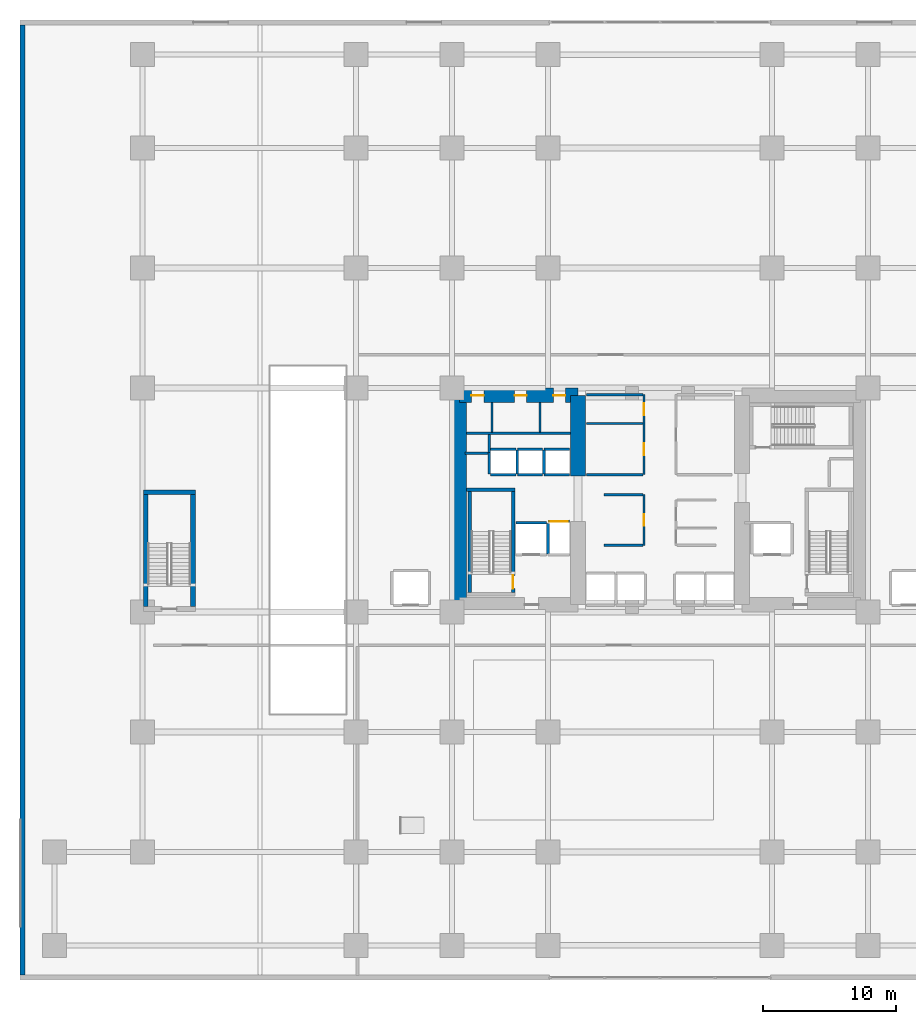
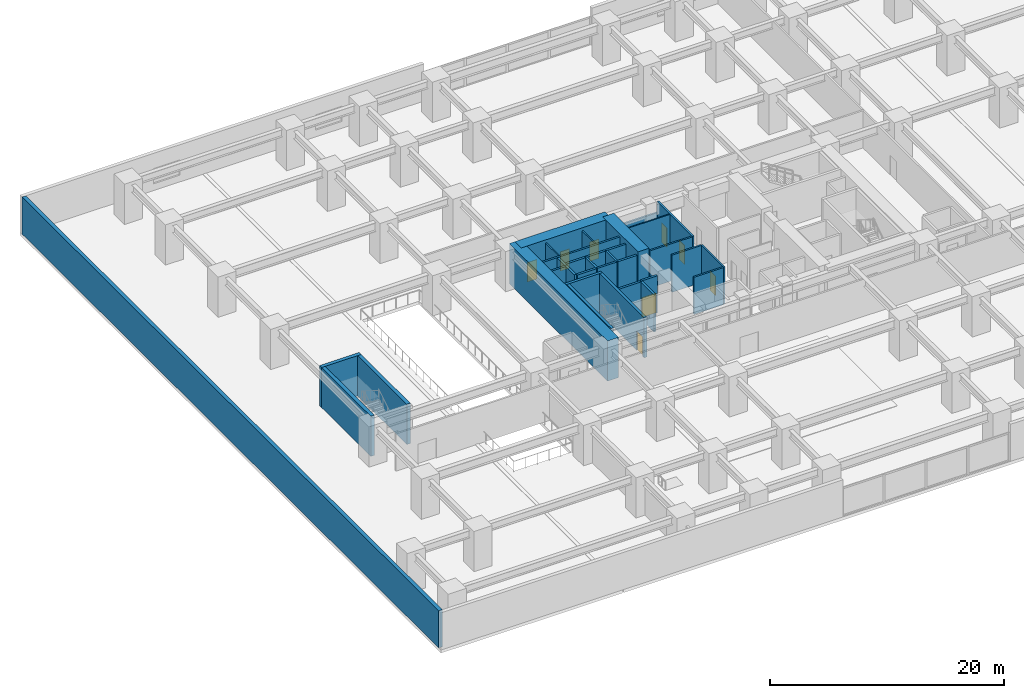
# One storey, part 11 of 22: 34 walls, 8 doors, 8 openings.
"""IFC4 building model written with IfcOpenShell, lengths in metres."""

import ifcopenshell
import ifcopenshell.guid

model = None  # the IFC model being written
_history = None  # IfcOwnerHistory: only IFC2X3 demands one
_inside = {}  # id of a spatial element -> (the spatial element, [elements in it])
_under = {}  # id of a project, library or spatial element -> (it, [spatial elements below it])
_declared = {}  # id of a project -> (the project, [libraries it declares])
_typed = {}  # id of a type object -> (the type object, [elements of that type])
_made_of = {}  # id of a material, layer set ... -> (it, [elements and type objects made of it])


def new_model(schema):
    """Start an empty IFC model of exactly this schema.

    Asked for "IFC4X3", IfcOpenShell would pick the latest addendum, in which some entities
    have other attributes; the version numbers below select the first issue.
    IFC2X3 requires an IfcOwnerHistory on every rooted entity: one is made here for all.
    """
    global model, _history
    if schema == "IFC4X3":
        model = ifcopenshell.file(schema_version=(4, 3, 0, 0))
    else:
        model = ifcopenshell.file(schema=schema)
    _inside.clear()
    _under.clear()
    _declared.clear()
    _typed.clear()
    _made_of.clear()
    _history = None
    if model.schema == "IFC2X3":
        org = make("IfcOrganization", Name="unknown")
        user = make(
            "IfcPersonAndOrganization",
            ThePerson=make("IfcPerson", FamilyName="unknown"),
            TheOrganization=org,
        )
        app = make(
            "IfcApplication",
            ApplicationDeveloper=org,
            Version="unknown",
            ApplicationFullName="unknown",
            ApplicationIdentifier="unknown",
        )
        _history = make(
            "IfcOwnerHistory",
            OwningUser=user,
            OwningApplication=app,
            ChangeAction="ADDED",
            CreationDate=0,
        )
    return model


def make(cls, **values):
    """One entity of the class cls with the attributes given. An attribute that is None is left unset."""
    return model.create_entity(
        cls, **{name: value for name, value in values.items() if value is not None}
    )


def rooted(cls, **values):
    """An entity with a GlobalId (a new one), such as an element, a storey or a relation."""
    return make(cls, GlobalId=ifcopenshell.guid.new(), OwnerHistory=_history, **values)


def si_unit(unit_type, name, prefix=None):
    """IfcSIUnit, for example si_unit("LENGTHUNIT", "METRE", prefix="MILLI")."""
    return make("IfcSIUnit", UnitType=unit_type, Prefix=prefix, Name=name)


def assignment(units):
    """IfcUnitAssignment: the units of a project."""
    return None if units is None else make("IfcUnitAssignment", Units=units)


def point(xyz):
    """IfcCartesianPoint."""
    return None if xyz is None else make("IfcCartesianPoint", Coordinates=xyz)


def direction(xyz):
    """IfcDirection."""
    return None if xyz is None else make("IfcDirection", DirectionRatios=xyz)


def frame(location, z_axis=None, x_axis=None):
    """IfcAxis2Placement3D, a coordinate frame: its origin and axes. An axis left out is left unset."""
    return make(
        "IfcAxis2Placement3D",
        Location=point(location),
        Axis=direction(z_axis),
        RefDirection=direction(x_axis),
    )


def frame_2d(location, x_axis=None):
    """IfcAxis2Placement2D, a coordinate frame in the plane: its origin and x axis."""
    return make(
        "IfcAxis2Placement2D", Location=point(location), RefDirection=direction(x_axis)
    )


def origin():
    """The frame at (0, 0, 0) with its axes left unset."""
    return frame((0.0, 0.0, 0.0))


def place(relative_to, where):
    """IfcLocalPlacement: puts the frame where relative to a parent placement (None: the world)."""
    return make(
        "IfcLocalPlacement", PlacementRelTo=relative_to, RelativePlacement=where
    )


def context(
    kind, dimensions, precision=None, world=None, true_north=None, identifier=None
):
    """IfcGeometricRepresentationContext, for example the 3D "Model" context."""
    return make(
        "IfcGeometricRepresentationContext",
        ContextIdentifier=identifier,
        ContextType=kind,
        CoordinateSpaceDimension=dimensions,
        Precision=precision,
        WorldCoordinateSystem=world,
        TrueNorth=true_north,
    )


def subcontext(parent, identifier, kind, view, scale=None):
    """IfcGeometricRepresentationSubContext, for example "Body" below "Model"."""
    return make(
        "IfcGeometricRepresentationSubContext",
        ContextIdentifier=identifier,
        ContextType=kind,
        ParentContext=parent,
        TargetScale=scale,
        TargetView=view,
    )


def project(units=None, contexts=None):
    """IfcProject with its units and contexts."""
    return rooted(
        "IfcProject",
        Name="project",
        RepresentationContexts=contexts,
        UnitsInContext=assignment(units),
    )


def spatial(cls, under=None, at=None, **own):
    """A site, building, storey or space (cls), placed at a placement, below another one or the project."""
    s = rooted(cls, ObjectPlacement=at, **own)
    if under is not None:
        _under.setdefault(under.id(), (under, []))[1].append(s)
    return s


def profile(cls, at=None, kind="AREA", **sizes):
    """A parametric profile (cls). Its sizes go by their IFC names, for example OverallWidth=200.0."""
    return make(cls, ProfileType=kind, Position=at, **sizes)


def rectangle(**sizes):
    """IfcRectangleProfileDef."""
    return profile("IfcRectangleProfileDef", **sizes)


def extrude(swept, where, along, depth):
    """IfcExtrudedAreaSolid: the profile swept, set in the frame where, extruded along a direction by depth."""
    return make(
        "IfcExtrudedAreaSolid",
        SweptArea=swept,
        Position=where,
        ExtrudedDirection=direction(along),
        Depth=depth,
    )


def shape(context_of_items, identifier, shape_type, items):
    """IfcShapeRepresentation: the items that make up one representation, for example the "Body"."""
    return make(
        "IfcShapeRepresentation",
        ContextOfItems=context_of_items,
        RepresentationIdentifier=identifier,
        RepresentationType=shape_type,
        Items=items,
    )


def material(Name=None, Category=None):
    """IfcMaterial."""
    return make("IfcMaterial", Name=Name, Category=Category)


def layer(
    of_material, thickness, ventilated=None, Name=None, Category=None, Priority=None
):
    """IfcMaterialLayer: one layer of a wall or slab, of a material (None: an air gap)."""
    return make(
        "IfcMaterialLayer",
        Material=of_material,
        LayerThickness=thickness,
        IsVentilated=ventilated,
        Name=Name,
        Category=Category,
        Priority=Priority,
    )


def layer_set(layers, Name=None):
    """IfcMaterialLayerSet."""
    return make("IfcMaterialLayerSet", MaterialLayers=layers, LayerSetName=Name)


def made_of(thing, what):
    """Note that an element or type object is made of a material, layer set ...; save() writes the relation."""
    if what is not None:
        _made_of.setdefault(what.id(), (what, []))[1].append(thing)
    return thing


def type_object(cls, material=None, **own):
    """A type object (cls), such as IfcWallType, which elements share."""
    return made_of(rooted(cls, **own), material)


def element(
    cls,
    number,
    at=None,
    inside=None,
    cuts=None,
    type_object=None,
    material=None,
    context=None,
    identifier="Body",
    shape_type=None,
    held_by="IfcProductDefinitionShape",
    body=None,
    shapes=None,
    **own,
):
    """One element of the class cls, such as IfcWall. Its Tag is "e" and its number.

    at: its placement. inside: the storey or other place that contains it. cuts: it is an
    opening in that element (IfcRelVoidsElement). A single representation is given by context,
    identifier, shape_type and body (its items); several are given by shapes. held_by: the class
    of the entity that holds the representations. save() writes the other relations.
    """
    e = rooted(cls, Tag="e%d" % number, ObjectPlacement=at, **own)
    if body is not None:
        shapes = [shape(context, identifier, shape_type, body)]
    if shapes is not None:
        e.Representation = make(held_by, Representations=shapes)
    if inside is not None:
        _inside.setdefault(inside.id(), (inside, []))[1].append(e)
    if cuts is not None:
        rooted(
            "IfcRelVoidsElement", RelatingBuildingElement=cuts, RelatedOpeningElement=e
        )
    if type_object is not None:
        _typed.setdefault(type_object.id(), (type_object, []))[1].append(e)
    return made_of(e, material)


def fill(opening, filler):
    """IfcRelFillsElement: the door or window that sits in an opening."""
    return rooted(
        "IfcRelFillsElement",
        RelatingOpeningElement=opening,
        RelatedBuildingElement=filler,
    )


def aggregate(whole, parts):
    """IfcRelAggregates: a whole, such as a stair, and the parts it consists of."""
    return rooted("IfcRelAggregates", RelatingObject=whole, RelatedObjects=parts)


def save(model, path):
    """Write the relations noted so far, then the file.

    IfcRelAggregates (storeys below a building ...), IfcRelContainedInSpatialStructure (elements
    in a storey), IfcRelDefinesByType, IfcRelAssociatesMaterial and IfcRelDeclares: one each for
    every whole, place, type object, material and project.
    """
    for whole, parts in _under.values():
        aggregate(whole, parts)
    for where, things in _inside.values():
        rooted(
            "IfcRelContainedInSpatialStructure",
            RelatedElements=things,
            RelatingStructure=where,
        )
    for kind, things in _typed.values():
        rooted("IfcRelDefinesByType", RelatedObjects=things, RelatingType=kind)
    for what, things in _made_of.values():
        rooted("IfcRelAssociatesMaterial", RelatedObjects=things, RelatingMaterial=what)
    for by, libraries in _declared.values():
        rooted("IfcRelDeclares", RelatingContext=by, RelatedDefinitions=libraries)
    model.write(path)


model = new_model("IFC4")

# Units and contexts
model_context = context("Model", 3, precision=1e-05, world=origin(), true_north=direction((0.0, 1.0)))
body_context = subcontext(model_context, "Body", "Model", "MODEL_VIEW")
ifc_project = project(units=[si_unit("LENGTHUNIT", "METRE"), si_unit("AREAUNIT", "SQUARE_METRE"), si_unit("VOLUMEUNIT", "CUBIC_METRE"), si_unit("PLANEANGLEUNIT", "RADIAN"), si_unit("MASSUNIT", "GRAM", prefix="KILO")], contexts=[model_context])

# Site, building, storey
site_placement = place(None, origin())
site = spatial("IfcSite", under=ifc_project, at=site_placement, CompositionType="ELEMENT")
building_placement = place(site_placement, origin())
building = spatial("IfcBuilding", under=site, at=building_placement, Name="Kiyonajd Concourse Tower", CompositionType="ELEMENT")
storey_placement = place(building_placement, frame((0.0, 0.0, 8.699951171875)))
storey = spatial("IfcBuildingStorey", under=building, at=storey_placement, Name="L03", CompositionType="ELEMENT", Elevation=8.699951171875)

# Walls
ifc_material_1 = material(Name="Concrete C80/95", Category="concrete")
ifc_layer_1 = layer(ifc_material_1, 1.10009765625)
ifc_layer_set_1 = layer_set([ifc_layer_1], Name="Concrete C80/95")
wall_type_1 = type_object("IfcWallType", Name="WL-CORE-1100", PredefinedType="SHEAR", material=ifc_layer_set_1)
wall_1_placement = place(storey_placement, frame((32.949951171875, 27.60009765625, 0.0), z_axis=(0.0, 0.0, 1.0), x_axis=(0.0, 1.0, 0.0)))
element("IfcWall", 1, at=wall_1_placement, inside=storey, type_object=wall_type_1, Name="L03 West Core Outer Shear Wall", PredefinedType="SHEAR", context=body_context, shape_type="SweptSolid", body=[
    extrude(rectangle(XDim=16.7998046875, YDim=1.10009765625, at=frame_2d((8.39990234375, 0.0))), origin(), (0.0, 0.0, 1.0), 4.199951171875),
])
wall_2_placement = place(storey_placement, frame((41.85009765625, 37.800048828125, 0.0), z_axis=(0.0, 0.0, 1.0), x_axis=(0.0, 1.0, 0.0)))
element("IfcWall", 2, at=wall_2_placement, inside=storey, type_object=wall_type_1, Name="L03 West Core Inner North Shear Wall", PredefinedType="SHEAR", context=body_context, shape_type="SweptSolid", body=[
    extrude(rectangle(XDim=6.050048828125, YDim=1.10009765625, at=frame_2d((3.02490234375, 0.0))), origin(), (0.0, 0.0, 1.0), 4.199951171875),
])

# Wall, openings, doors
wall_3_placement = place(storey_placement, frame((32.949951171875, 43.85009765625, 0.0), z_axis=(0.0, 0.0, 1.0), x_axis=(1.0, 0.0, 0.0)))
wall_3 = element("IfcWall", 3, at=wall_3_placement, inside=storey, type_object=wall_type_1, Name="L03 West Core North Shear Wall", PredefinedType="SHEAR", context=body_context, shape_type="SweptSolid", body=[
    extrude(rectangle(XDim=8.900146484375, YDim=1.10009765625, at=frame_2d((4.4501953125, 0.0))), origin(), (0.0, 0.0, 1.0), 4.199951171875),
])
opening_1_placement = place(wall_3_placement, frame((0.89990234375, 0.0, 0.0)))
opening_1 = element("IfcOpeningElement", 4, at=opening_1_placement, cuts=wall_3, Name="Opening DI1", PredefinedType="OPENING", context=body_context, shape_type="SweptSolid", body=[
    extrude(rectangle(XDim=0.949951171875, YDim=2.0400390625, at=frame_2d((0.47509765625, 1.02001953125))), frame((0.0, 0.56005859375, 0.0), z_axis=(0.0, -1.0, 0.0), x_axis=(1.0, 0.0, 0.0)), (0.0, 0.0, 1.0), 1.1201171875),
])
opening_2_placement = place(wall_3_placement, frame((4.14990234375, 0.0, 0.0)))
opening_2 = element("IfcOpeningElement", 5, at=opening_2_placement, cuts=wall_3, Name="Opening DI2", PredefinedType="OPENING", context=body_context, shape_type="SweptSolid", body=[
    extrude(rectangle(XDim=0.89990234375, YDim=2.02001953125, at=frame_2d((0.449951171875, 1.010009765625))), frame((0.0, 0.56005859375, 0.0), z_axis=(0.0, -1.0, 0.0), x_axis=(1.0, 0.0, 0.0)), (0.0, 0.0, 1.0), 1.1201171875),
])
opening_3_placement = place(wall_3_placement, frame((7.050048828125, 0.0, 0.0)))
opening_3 = element("IfcOpeningElement", 6, at=opening_3_placement, cuts=wall_3, Name="Opening DI2", PredefinedType="OPENING", context=body_context, shape_type="SweptSolid", body=[
    extrude(rectangle(XDim=0.89990234375, YDim=2.02001953125, at=frame_2d((0.449951171875, 1.010009765625))), frame((0.0, 0.56005859375, 0.0), z_axis=(0.0, -1.0, 0.0), x_axis=(1.0, 0.0, 0.0)), (0.0, 0.0, 1.0), 1.1201171875),
])
ifc_material_2 = material(Name="Natural Oak Acoustic Timber Veneer", Category="wood")
door_type_1 = type_object("IfcDoorType", Name="DR-INT-900", OperationType="NOTDEFINED", PredefinedType="DOOR", material=ifc_material_2)
door_1_placement = place(opening_2_placement, origin())
door_1 = element("IfcDoor", 7, at=door_1_placement, inside=storey, type_object=door_type_1, Name="L03 Male Restroom Door", OperationType="SINGLE_SWING_RIGHT", OverallHeight=2.02001953125, OverallWidth=0.89990234375, PredefinedType="DOOR", context=body_context, shape_type="SweptSolid", body=[
    extrude(rectangle(XDim=0.89990234375, YDim=2.02001953125, at=frame_2d((0.449951171875, 1.010009765625))), frame((0.0, 0.02490234375, 0.0), z_axis=(0.0, -1.0, 0.0), x_axis=(1.0, 0.0, 0.0)), (0.0, 0.0, 1.0), 0.050048828125),
])
fill(opening_2, door_1)
door_2_placement = place(opening_3_placement, origin())
door_2 = element("IfcDoor", 8, at=door_2_placement, inside=storey, type_object=door_type_1, Name="L03 Female Restroom Door", OperationType="SINGLE_SWING_LEFT", OverallHeight=2.02001953125, OverallWidth=0.89990234375, PredefinedType="DOOR", context=body_context, shape_type="SweptSolid", body=[
    extrude(rectangle(XDim=0.89990234375, YDim=2.02001953125, at=frame_2d((0.449951171875, 1.010009765625))), frame((0.0, 0.02490234375, 0.0), z_axis=(0.0, -1.0, 0.0), x_axis=(1.0, 0.0, 0.0)), (0.0, 0.0, 1.0), 0.050048828125),
])
fill(opening_3, door_2)
door_type_2 = type_object("IfcDoorType", Name="DR-INT-950", OperationType="NOTDEFINED", PredefinedType="DOOR", material=ifc_material_2)
door_3_placement = place(opening_1_placement, origin())
door_3 = element("IfcDoor", 9, at=door_3_placement, inside=storey, type_object=door_type_2, Name="L03 Single User Accessible WC Door", OperationType="SINGLE_SWING_LEFT", OverallHeight=2.0400390625, OverallWidth=0.949951171875, PredefinedType="DOOR", context=body_context, shape_type="SweptSolid", body=[
    extrude(rectangle(XDim=0.949951171875, YDim=2.0400390625, at=frame_2d((0.47509765625, 1.02001953125))), frame((0.0, 0.02490234375, 0.0), z_axis=(0.0, -1.0, 0.0), x_axis=(1.0, 0.0, 0.0)), (0.0, 0.0, 1.0), 0.050048828125),
])
fill(opening_1, door_3)

# Walls
ifc_material_3 = material(Name="Precast concrete C50/60", Category="concrete")
ifc_layer_2 = layer(ifc_material_3, 0.360107421875)
ifc_layer_set_2 = layer_set([ifc_layer_2], Name="Precast concrete C50/60")
wall_type_2 = type_object("IfcWallType", Name="WL-EXT-360", PredefinedType="SOLIDWALL", material=ifc_layer_set_2)
wall_4_placement = place(storey_placement, frame((0.179931640625, 0.360107421875, 0.0), z_axis=(0.0, 0.0, 1.0), x_axis=(0.0, 1.0, 0.0)))
element("IfcWall", 10, at=wall_4_placement, inside=storey, type_object=wall_type_2, Name="L03 West Podium Limestone Facade Wall", PredefinedType="SOLIDWALL", context=body_context, shape_type="SweptSolid", body=[
    extrude(rectangle(XDim=71.27978515625, YDim=0.360107421875, at=frame_2d((35.639892578125, 0.0))), origin(), (0.0, 0.0, 1.0), 3.880126953125),
])
ifc_material_4 = material(Name="Gypsum Board on Cold-Formed Steel Stud", Category="steel")
ifc_layer_3 = layer(ifc_material_4, 0.125)
ifc_layer_set_3 = layer_set([ifc_layer_3], Name="Gypsum Board on Cold-Formed Steel Stud")
wall_type_3 = type_object("IfcWallType", Name="WL-PART-125", PredefinedType="PARTITIONING", material=ifc_layer_set_3)
for number, where, z_axis, x_axis, name in (
    (11, (35.39990234375, 41.094970703125, 0.0), (0.0, 0.0, 1.0), (0.0, 1.0, 0.0), "L03 Interior Partition Wall"),
    (12, (39.0, 41.094970703125, 0.0), (0.0, 0.0, 1.0), (0.0, 1.0, 0.0), "L03 Interior Partition Wall"),
):
    element("IfcWall", number, at=place(storey_placement, frame(where, z_axis=z_axis, x_axis=x_axis)), inside=storey, type_object=wall_type_3, Name=name, PredefinedType="PARTITIONING", context=body_context, shape_type="SweptSolid", body=[
        extrude(rectangle(XDim=2.205078125, YDim=0.125, at=frame_2d((1.1025390625, 0.0))), origin(), (0.0, 0.0, 1.0), 3.880126953125),
    ])
wall_5_placement = place(storey_placement, frame((42.5, 41.739990234375, 0.0), z_axis=(0.0, 0.0, 1.0), x_axis=(1.0, 0.0, 0.0)))
element("IfcWall", 13, at=wall_5_placement, inside=storey, type_object=wall_type_3, Name="L03 Interior Partition Wall", PredefinedType="PARTITIONING", context=body_context, shape_type="SweptSolid", body=[
    extrude(rectangle(XDim=4.212890625, YDim=0.125, at=frame_2d((2.1064453125, 0.0))), origin(), (0.0, 0.0, 1.0), 3.880126953125),
])
ifc_layer_4 = layer(ifc_material_4, 0.18994140625)
ifc_layer_set_4 = layer_set([ifc_layer_4], Name="Gypsum Board on Cold-Formed Steel Stud")
wall_type_4 = type_object("IfcWallType", Name="WL-PLMB-190", PredefinedType="PLUMBINGWALL", material=ifc_layer_set_4)
wall_6_placement = place(storey_placement, frame((33.5, 41.0, 0.0), z_axis=(0.0, 0.0, 1.0), x_axis=(1.0, 0.0, 0.0)))
element("IfcWall", 14, at=wall_6_placement, inside=storey, type_object=wall_type_4, Name="L03 Interior Partition Wall", PredefinedType="PLUMBINGWALL", context=body_context, shape_type="SweptSolid", body=[
    extrude(rectangle(XDim=7.800048828125, YDim=0.18994140625, at=frame_2d((3.89990234375, 0.0))), origin(), (0.0, 0.0, 1.0), 3.880126953125),
])
ifc_layer_5 = layer(ifc_material_4, 0.2099609375)
ifc_layer_set_5 = layer_set([ifc_layer_5], Name="Gypsum Board on Cold-Formed Steel Stud")
wall_type_5 = type_object("IfcWallType", Name="WL-SHAFT-210", PredefinedType="PARTITIONING", material=ifc_layer_set_5)
wall_7_placement = place(storey_placement, frame((33.360107421875, 39.5, 0.0), z_axis=(0.0, 0.0, 1.0), x_axis=(1.0, 0.0, 0.0)))
element("IfcWall", 15, at=wall_7_placement, inside=storey, type_object=wall_type_5, Name="L03 Shaft Enclosure Wall", PredefinedType="PARTITIONING", context=body_context, shape_type="SweptSolid", body=[
    extrude(rectangle(XDim=1.85986328125, YDim=0.2099609375, at=frame_2d((0.929931640625, 0.0))), origin(), (0.0, 0.0, 1.0), 3.880126953125),
])
wall_8_placement = place(storey_placement, frame((35.199951171875, 39.580078125, 0.0), z_axis=(0.0, 0.0, 1.0), x_axis=(0.0, 1.0, 0.0)))
element("IfcWall", 16, at=wall_8_placement, inside=storey, type_object=wall_type_5, Name="L03 Shaft Enclosure Wall", PredefinedType="PARTITIONING", context=body_context, shape_type="SweptSolid", body=[
    extrude(rectangle(XDim=1.31982421875, YDim=0.2099609375, at=frame_2d((0.659912109375, 0.0))), origin(), (0.0, 0.0, 1.0), 3.880126953125),
])
wall_9_placement = place(storey_placement, frame((37.199951171875, 34.300048828125, 0.0), z_axis=(0.0, 0.0, 1.0), x_axis=(1.0, 0.0, 0.0)))
element("IfcWall", 17, at=wall_9_placement, inside=storey, type_object=wall_type_5, Name="L03 Shaft Enclosure Wall", PredefinedType="PARTITIONING", context=body_context, shape_type="SweptSolid", body=[
    extrude(rectangle(XDim=2.300048828125, YDim=0.2099609375, at=frame_2d((1.14990234375, 0.0))), origin(), (0.0, 0.0, 1.0), 3.880126953125),
])
wall_10_placement = place(storey_placement, frame((39.60009765625, 31.9599609375, 0.0), z_axis=(0.0, 0.0, 1.0), x_axis=(0.0, 1.0, 0.0)))
element("IfcWall", 18, at=wall_10_placement, inside=storey, type_object=wall_type_5, Name="L03 Shaft Enclosure Wall", PredefinedType="PARTITIONING", context=body_context, shape_type="SweptSolid", body=[
    extrude(rectangle(XDim=2.280029296875, YDim=0.2099609375, at=frame_2d((1.14013671875, 0.0))), origin(), (0.0, 0.0, 1.0), 3.880126953125),
])

# Wall, opening, door
wall_11_placement = place(storey_placement, frame((39.60009765625, 34.39990234375, 0.0), z_axis=(0.0, 0.0, 1.0), x_axis=(1.0, 0.0, 0.0)))
wall_11 = element("IfcWall", 19, at=wall_11_placement, inside=storey, type_object=wall_type_5, Name="L03 Shaft Enclosure Wall", PredefinedType="PARTITIONING", context=body_context, shape_type="SweptSolid", body=[
    extrude(rectangle(XDim=1.599853515625, YDim=0.2099609375, at=frame_2d((0.7998046875, 0.0))), origin(), (0.0, 0.0, 1.0), 3.880126953125),
])
opening_4_placement = place(wall_11_placement, frame((0.10009765625, 0.0, 0.0)))
opening_4 = element("IfcOpeningElement", 20, at=opening_4_placement, cuts=wall_11, Name="Opening LD3", PredefinedType="OPENING", context=body_context, shape_type="SweptSolid", body=[
    extrude(rectangle(XDim=1.39990234375, YDim=2.06005859375, at=frame_2d((0.699951171875, 1.030029296875))), frame((0.0, 0.114990234375, 0.0), z_axis=(0.0, -1.0, 0.0), x_axis=(1.0, 0.0, 0.0)), (0.0, 0.0, 1.0), 0.22998046875),
])
ifc_material_5 = material(Name="Brushed Stainless Steel Cab Assembly", Category="steel")
door_type_3 = type_object("IfcDoorType", Name="DR-LD-1400", OperationType="DOUBLE_DOOR_SLIDING", PredefinedType="DOOR", material=ifc_material_5)
door_4_placement = place(opening_4_placement, origin())
door_4 = element("IfcDoor", 21, at=door_4_placement, inside=storey, type_object=door_type_3, Name="L03 Lift SVL1 Sliding Landing Door", OperationType="DOUBLE_DOOR_SLIDING", OverallHeight=2.06005859375, OverallWidth=1.39990234375, PredefinedType="DOOR", context=body_context, shape_type="SweptSolid", body=[
    extrude(rectangle(XDim=1.39990234375, YDim=2.06005859375, at=frame_2d((0.699951171875, 1.030029296875))), frame((0.0, 0.02490234375, 0.0), z_axis=(0.0, -1.0, 0.0), x_axis=(1.0, 0.0, 0.0)), (0.0, 0.0, 1.0), 0.050048828125),
])
fill(opening_4, door_4)

# Walls
for number, where, z_axis, x_axis, name in (
    (22, (35.300048828125, 37.89990234375, 0.0), (0.0, 0.0, 1.0), (1.0, 0.0, 0.0), "L03 Shaft Enclosure Wall"),
    (23, (35.300048828125, 39.800048828125, 0.0), (0.0, 0.0, 1.0), (1.0, 0.0, 0.0), "L03 Shaft Enclosure Wall"),
):
    element("IfcWall", number, at=place(storey_placement, frame(where, z_axis=z_axis, x_axis=x_axis)), inside=storey, type_object=wall_type_5, Name=name, PredefinedType="PARTITIONING", context=body_context, shape_type="SweptSolid", body=[
        extrude(rectangle(XDim=1.89990234375, YDim=0.2099609375, at=frame_2d((0.949951171875, 0.0))), origin(), (0.0, 0.0, 1.0), 3.880126953125),
    ])
wall_12_placement = place(storey_placement, frame((35.199951171875, 37.9599609375, 0.0), z_axis=(0.0, 0.0, 1.0), x_axis=(0.0, 1.0, 0.0)))
element("IfcWall", 24, at=wall_12_placement, inside=storey, type_object=wall_type_5, Name="L03 Shaft Enclosure Wall", PredefinedType="PARTITIONING", context=body_context, shape_type="SweptSolid", body=[
    extrude(rectangle(XDim=1.6201171875, YDim=0.2099609375, at=frame_2d((0.81005859375, 0.0))), origin(), (0.0, 0.0, 1.0), 3.880126953125),
])
wall_13_placement = place(storey_placement, frame((37.300048828125, 37.9599609375, 0.0), z_axis=(0.0, 0.0, 1.0), x_axis=(0.0, 1.0, 0.0)))
element("IfcWall", 25, at=wall_13_placement, inside=storey, type_object=wall_type_5, Name="L03 Shaft Enclosure Wall", PredefinedType="PARTITIONING", context=body_context, shape_type="SweptSolid", body=[
    extrude(rectangle(XDim=1.780029296875, YDim=0.2099609375, at=frame_2d((0.89013671875, 0.0))), origin(), (0.0, 0.0, 1.0), 3.880126953125),
])
for number, where, z_axis, x_axis, name in (
    (26, (37.300048828125, 37.89990234375, 0.0), (0.0, 0.0, 1.0), (1.0, 0.0, 0.0), "L03 Shaft Enclosure Wall"),
    (27, (37.300048828125, 39.800048828125, 0.0), (0.0, 0.0, 1.0), (1.0, 0.0, 0.0), "L03 Shaft Enclosure Wall"),
):
    element("IfcWall", number, at=place(storey_placement, frame(where, z_axis=z_axis, x_axis=x_axis)), inside=storey, type_object=wall_type_5, Name=name, PredefinedType="PARTITIONING", context=body_context, shape_type="SweptSolid", body=[
        extrude(rectangle(XDim=1.89990234375, YDim=0.2099609375, at=frame_2d((0.949951171875, 0.0))), origin(), (0.0, 0.0, 1.0), 3.880126953125),
    ])
wall_14_placement = place(storey_placement, frame((39.300048828125, 37.9599609375, 0.0), z_axis=(0.0, 0.0, 1.0), x_axis=(0.0, 1.0, 0.0)))
element("IfcWall", 28, at=wall_14_placement, inside=storey, type_object=wall_type_5, Name="L03 Shaft Enclosure Wall", PredefinedType="PARTITIONING", context=body_context, shape_type="SweptSolid", body=[
    extrude(rectangle(XDim=1.780029296875, YDim=0.2099609375, at=frame_2d((0.89013671875, 0.0))), origin(), (0.0, 0.0, 1.0), 3.880126953125),
])
for number, where, z_axis, x_axis, name in (
    (29, (39.300048828125, 37.89990234375, 0.0), (0.0, 0.0, 1.0), (1.0, 0.0, 0.0), "L03 Shaft Enclosure Wall"),
    (30, (39.300048828125, 39.800048828125, 0.0), (0.0, 0.0, 1.0), (1.0, 0.0, 0.0), "L03 Shaft Enclosure Wall"),
):
    element("IfcWall", number, at=place(storey_placement, frame(where, z_axis=z_axis, x_axis=x_axis)), inside=storey, type_object=wall_type_5, Name=name, PredefinedType="PARTITIONING", context=body_context, shape_type="SweptSolid", body=[
        extrude(rectangle(XDim=1.89990234375, YDim=0.2099609375, at=frame_2d((0.949951171875, 0.0))), origin(), (0.0, 0.0, 1.0), 3.880126953125),
    ])

# Wall, opening, door
ifc_layer_6 = layer(ifc_material_4, 0.169921875)
ifc_layer_set_6 = layer_set([ifc_layer_6], Name="Gypsum Board on Cold-Formed Steel Stud")
wall_type_6 = type_object("IfcWallType", Name="WL-SMK-170", PredefinedType="PARTITIONING", material=ifc_layer_set_6)
wall_15_placement = place(storey_placement, frame((46.800048828125, 32.60009765625, 0.0), z_axis=(0.0, 0.0, 1.0), x_axis=(0.0, 1.0, 0.0)))
wall_15 = element("IfcWall", 31, at=wall_15_placement, inside=storey, type_object=wall_type_6, Name="L03 Interior Partition Wall", PredefinedType="PARTITIONING", context=body_context, shape_type="SweptSolid", body=[
    extrude(rectangle(XDim=3.7998046875, YDim=0.169921875, at=frame_2d((1.89990234375, 0.0))), origin(), (0.0, 0.0, 1.0), 3.880126953125),
])
opening_5_placement = place(wall_15_placement, frame((1.449951171875, 0.0, 0.0)))
opening_5 = element("IfcOpeningElement", 32, at=opening_5_placement, cuts=wall_15, Name="Opening DI2", PredefinedType="OPENING", context=body_context, shape_type="SweptSolid", body=[
    extrude(rectangle(XDim=0.89990234375, YDim=2.02001953125, at=frame_2d((0.449951171875, 1.010009765625))), frame((0.0, 0.094970703125, 0.0), z_axis=(0.0, -1.0, 0.0), x_axis=(1.0, 0.0, 0.0)), (0.0, 0.0, 1.0), 0.18994140625),
])
door_5_placement = place(opening_5_placement, origin())
door_5 = element("IfcDoor", 33, at=door_5_placement, inside=storey, type_object=door_type_1, Name="L03 Interior Door", OperationType="SINGLE_SWING_LEFT", OverallHeight=2.02001953125, OverallWidth=0.89990234375, PredefinedType="DOOR", context=body_context, shape_type="SweptSolid", body=[
    extrude(rectangle(XDim=0.89990234375, YDim=2.02001953125, at=frame_2d((0.449951171875, 1.010009765625))), frame((0.0, 0.02490234375, 0.0), z_axis=(0.0, -1.0, 0.0), x_axis=(1.0, 0.0, 0.0)), (0.0, 0.0, 1.0), 0.050048828125),
])
fill(opening_5, door_5)

# Walls
for number, where, z_axis, x_axis, name in (
    (34, (43.800048828125, 32.60009765625, 0.0), (0.0, 0.0, 1.0), (1.0, 0.0, 0.0), "L03 Interior Partition Wall"),
    (35, (43.800048828125, 36.39990234375, 0.0), (0.0, 0.0, 1.0), (1.0, 0.0, 0.0), "L03 Interior Partition Wall"),
):
    element("IfcWall", number, at=place(storey_placement, frame(where, z_axis=z_axis, x_axis=x_axis)), inside=storey, type_object=wall_type_6, Name=name, PredefinedType="PARTITIONING", context=body_context, shape_type="SweptSolid", body=[
        extrude(rectangle(XDim=2.912841796875, YDim=0.169921875, at=frame_2d((1.45654296875, 0.0))), origin(), (0.0, 0.0, 1.0), 3.880126953125),
    ])

# Wall, openings, doors
wall_16_placement = place(storey_placement, frame((46.800048828125, 37.89990234375, 0.0), z_axis=(0.0, 0.0, 1.0), x_axis=(0.0, 1.0, 0.0)))
wall_16 = element("IfcWall", 36, at=wall_16_placement, inside=storey, type_object=wall_type_6, Name="L03 Interior Partition Wall", PredefinedType="PARTITIONING", context=body_context, shape_type="SweptSolid", body=[
    extrude(rectangle(XDim=6.0, YDim=0.169921875, at=frame_2d((3.0, 0.0))), origin(), (0.0, 0.0, 1.0), 3.880126953125),
])
opening_6_placement = place(wall_16_placement, frame((1.469970703125, 0.0, 0.0)))
opening_6 = element("IfcOpeningElement", 37, at=opening_6_placement, cuts=wall_16, Name="Opening DF4", PredefinedType="OPENING", context=body_context, shape_type="SweptSolid", body=[
    extrude(rectangle(XDim=0.89990234375, YDim=2.02001953125, at=frame_2d((0.449951171875, 1.010009765625))), frame((0.0, 0.094970703125, 0.0), z_axis=(0.0, -1.0, 0.0), x_axis=(1.0, 0.0, 0.0)), (0.0, 0.0, 1.0), 0.18994140625),
])
opening_7_placement = place(wall_16_placement, frame((4.469970703125, 0.0, 0.0)))
opening_7 = element("IfcOpeningElement", 38, at=opening_7_placement, cuts=wall_16, Name="Opening DF4", PredefinedType="OPENING", context=body_context, shape_type="SweptSolid", body=[
    extrude(rectangle(XDim=0.89990234375, YDim=2.02001953125, at=frame_2d((0.449951171875, 1.010009765625))), frame((0.0, 0.094970703125, 0.0), z_axis=(0.0, -1.0, 0.0), x_axis=(1.0, 0.0, 0.0)), (0.0, 0.0, 1.0), 0.18994140625),
])
door_type_4 = type_object("IfcDoorType", Name="DR-FD60-900", OperationType="NOTDEFINED", PredefinedType="DOOR", material=ifc_material_5)
door_6_placement = place(opening_6_placement, origin())
door_6 = element("IfcDoor", 39, at=door_6_placement, inside=storey, type_object=door_type_4, Name="L03 Interior Door", OperationType="SINGLE_SWING_RIGHT", OverallHeight=2.02001953125, OverallWidth=0.89990234375, PredefinedType="DOOR", context=body_context, shape_type="SweptSolid", body=[
    extrude(rectangle(XDim=0.89990234375, YDim=2.02001953125, at=frame_2d((0.449951171875, 1.010009765625))), frame((0.0, 0.02490234375, 0.0), z_axis=(0.0, -1.0, 0.0), x_axis=(1.0, 0.0, 0.0)), (0.0, 0.0, 1.0), 0.050048828125),
])
fill(opening_6, door_6)
door_7_placement = place(opening_7_placement, origin())
door_7 = element("IfcDoor", 40, at=door_7_placement, inside=storey, type_object=door_type_4, Name="L03 Interior Door", OperationType="SINGLE_SWING_LEFT", OverallHeight=2.02001953125, OverallWidth=0.89990234375, PredefinedType="DOOR", context=body_context, shape_type="SweptSolid", body=[
    extrude(rectangle(XDim=0.89990234375, YDim=2.02001953125, at=frame_2d((0.449951171875, 1.010009765625))), frame((0.0, 0.02490234375, 0.0), z_axis=(0.0, -1.0, 0.0), x_axis=(1.0, 0.0, 0.0)), (0.0, 0.0, 1.0), 0.050048828125),
])
fill(opening_7, door_7)

# Walls
wall_17_placement = place(storey_placement, frame((42.5, 37.89990234375, 0.0), z_axis=(0.0, 0.0, 1.0), x_axis=(1.0, 0.0, 0.0)))
element("IfcWall", 41, at=wall_17_placement, inside=storey, type_object=wall_type_6, Name="L03 Interior Partition Wall", PredefinedType="PARTITIONING", context=body_context, shape_type="SweptSolid", body=[
    extrude(rectangle(XDim=4.212890625, YDim=0.169921875, at=frame_2d((2.1064453125, 0.0))), origin(), (0.0, 0.0, 1.0), 3.880126953125),
])
wall_18_placement = place(storey_placement, frame((42.5, 43.89990234375, 0.0), z_axis=(0.0, 0.0, 1.0), x_axis=(1.0, 0.0, 0.0)))
element("IfcWall", 42, at=wall_18_placement, inside=storey, type_object=wall_type_6, Name="L03 Interior Partition Wall", PredefinedType="PARTITIONING", context=body_context, shape_type="SweptSolid", body=[
    extrude(rectangle(XDim=4.212890625, YDim=0.169921875, at=frame_2d((2.1064453125, 0.0))), origin(), (0.0, 0.0, 1.0), 2.76513671875),
])
ifc_material_6 = material(Name="Concrete C50/60", Category="concrete")
ifc_layer_7 = layer(ifc_material_6, 0.260009765625)
ifc_layer_set_7 = layer_set([ifc_layer_7], Name="Concrete C50/60")
wall_type_7 = type_object("IfcWallType", Name="WL-STAIR-260", PredefinedType="SHEAR", material=ifc_layer_set_7)
wall_19_placement = place(storey_placement, frame((33.5, 36.780029296875, 0.0), z_axis=(0.0, 0.0, 1.0), x_axis=(1.0, 0.0, 0.0)))
element("IfcWall", 43, at=wall_19_placement, inside=storey, type_object=wall_type_7, Name="L03 Stair ST1 Structural North Wall", PredefinedType="SHEAR", context=body_context, shape_type="SweptSolid", body=[
    extrude(rectangle(XDim=3.610107421875, YDim=0.260009765625, at=frame_2d((1.80517578125, 0.0))), origin(), (0.0, 0.0, 1.0), 4.199951171875),
])
wall_20_placement = place(storey_placement, frame((33.719970703125, 29.050048828125, 0.0), z_axis=(0.0, 0.0, 1.0), x_axis=(0.0, 1.0, 0.0)))
element("IfcWall", 44, at=wall_20_placement, inside=storey, type_object=wall_type_7, Name="L03 Stair ST1 Structural West Wall", PredefinedType="SHEAR", context=body_context, shape_type="SweptSolid", body=[
    extrude(rectangle(XDim=7.599853515625, YDim=0.260009765625, at=frame_2d((3.7998046875, 0.0))), origin(), (0.0, 0.0, 1.0), 4.199951171875),
])

# Wall, opening, door
wall_21_placement = place(storey_placement, frame((36.97998046875, 29.050048828125, 0.0), z_axis=(0.0, 0.0, 1.0), x_axis=(0.0, 1.0, 0.0)))
wall_21 = element("IfcWall", 45, at=wall_21_placement, inside=storey, type_object=wall_type_7, Name="L03 Stair ST1 Structural East Wall", PredefinedType="SHEAR", context=body_context, shape_type="SweptSolid", body=[
    extrude(rectangle(XDim=7.599853515625, YDim=0.260009765625, at=frame_2d((3.7998046875, 0.0))), origin(), (0.0, 0.0, 1.0), 4.199951171875),
])
opening_8_placement = place(wall_21_placement, frame((0.300048828125, 0.0, 0.0)))
opening_8 = element("IfcOpeningElement", 46, at=opening_8_placement, cuts=wall_21, Name="Opening DF1", PredefinedType="OPENING", context=body_context, shape_type="SweptSolid", body=[
    extrude(rectangle(XDim=1.0, YDim=2.0400390625, at=frame_2d((0.5, 1.02001953125))), frame((0.0, 0.139892578125, 0.0), z_axis=(0.0, -1.0, 0.0), x_axis=(1.0, 0.0, 0.0)), (0.0, 0.0, 1.0), 0.280029296875),
])
door_type_5 = type_object("IfcDoorType", Name="DR-FD90-1000", OperationType="NOTDEFINED", PredefinedType="DOOR", material=ifc_material_5)
door_8_placement = place(opening_8_placement, origin())
door_8 = element("IfcDoor", 47, at=door_8_placement, inside=storey, type_object=door_type_5, Name="L03 Stair ST1 FSAE Door", OperationType="SINGLE_SWING_LEFT", OverallHeight=2.0400390625, OverallWidth=1.0, PredefinedType="DOOR", context=body_context, shape_type="SweptSolid", body=[
    extrude(rectangle(XDim=1.0, YDim=2.0400390625, at=frame_2d((0.5, 1.02001953125))), frame((0.0, 0.02490234375, 0.0), z_axis=(0.0, -1.0, 0.0), x_axis=(1.0, 0.0, 0.0)), (0.0, 0.0, 1.0), 0.050048828125),
])
fill(opening_8, door_8)

# Walls
ifc_layer_8 = layer(ifc_material_6, 0.35009765625)
ifc_layer_set_8 = layer_set([ifc_layer_8], Name="Concrete C50/60")
wall_type_8 = type_object("IfcWallType", Name="WL-STAIR-350", PredefinedType="SHEAR", material=ifc_layer_set_8)
wall_22_placement = place(storey_placement, frame((9.25, 36.574951171875, 0.0), z_axis=(0.0, 0.0, 1.0), x_axis=(1.0, 0.0, 0.0)))
element("IfcWall", 48, at=wall_22_placement, inside=storey, type_object=wall_type_8, Name="L03 Stair ST4 Structural North Wall", PredefinedType="SHEAR", context=body_context, shape_type="SweptSolid", body=[
    extrude(rectangle(XDim=3.89990234375, YDim=0.35009765625, at=frame_2d((1.949951171875, 0.0))), origin(), (0.0, 0.0, 1.0), 4.199951171875),
])
for number, where, z_axis, x_axis, name in (
    (49, (9.425048828125, 28.0, 0.0), (0.0, 0.0, 1.0), (0.0, 1.0, 0.0), "L03 Stair ST4 Structural West Wall"),
    (50, (12.97509765625, 28.0, 0.0), (0.0, 0.0, 1.0), (0.0, 1.0, 0.0), "L03 Stair ST4 Structural East Wall"),
):
    element("IfcWall", number, at=place(storey_placement, frame(where, z_axis=z_axis, x_axis=x_axis)), inside=storey, type_object=wall_type_8, Name=name, PredefinedType="SHEAR", context=body_context, shape_type="SweptSolid", body=[
        extrude(rectangle(XDim=8.39990234375, YDim=0.35009765625, at=frame_2d((4.199951171875, 0.0))), origin(), (0.0, 0.0, 1.0), 4.199951171875),
    ])

save(model, "model.ifc")
